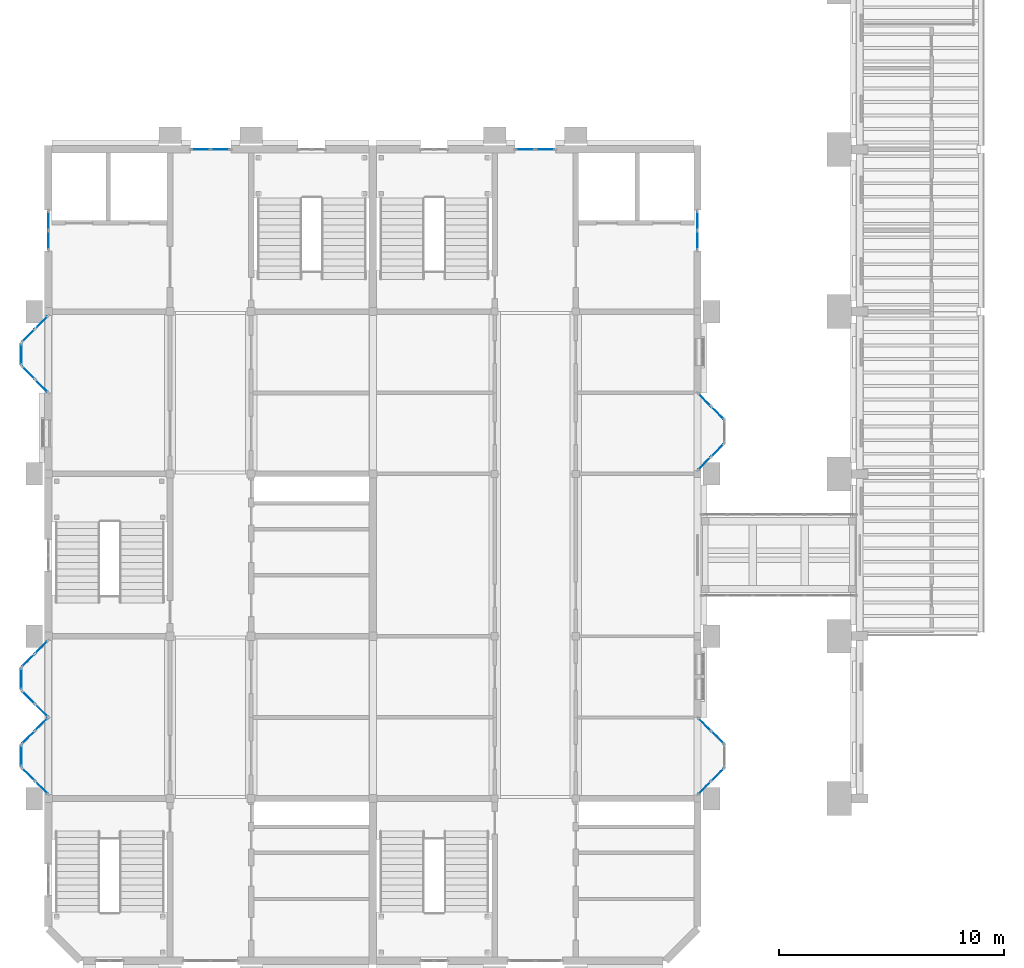
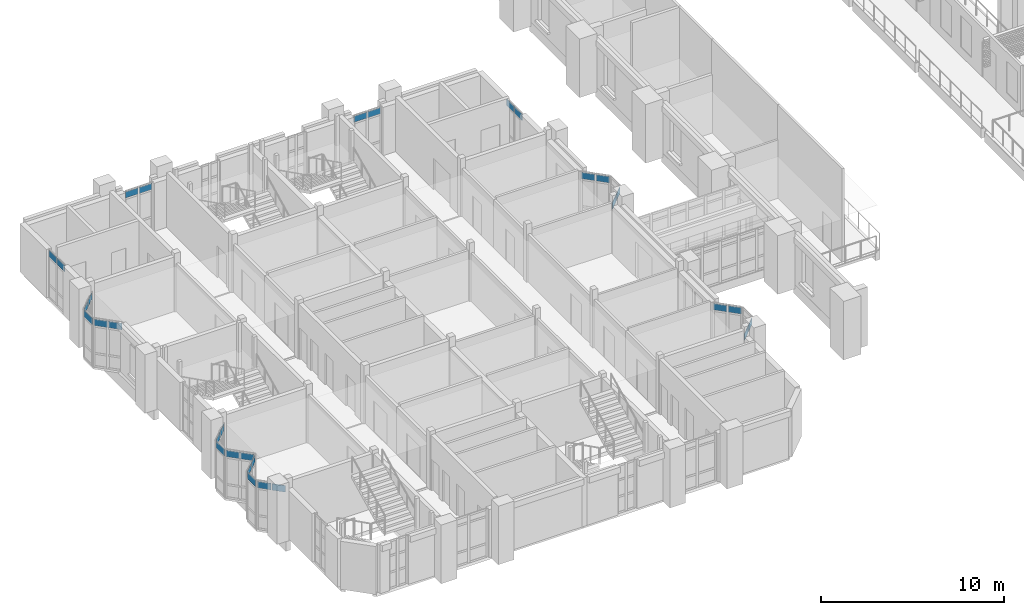
# One storey, part 36 of 69: 31 plates, 17 elements without a shape of their own.
"""IFC4 building model written with IfcOpenShell, lengths in metres."""

from ifc_helpers import new_model, si_unit, direction, frame, origin, origin_2d, place, context, subcontext, project, spatial, rectangle, extrude, material, layer, layer_set, type_object, element, aggregate, save


model = new_model("IFC4")

# Units and contexts
model_context = context("Model", 3, precision=1e-05, world=origin(), true_north=direction((0.0, 1.0)))
body_context = subcontext(model_context, "Body", "Model", "MODEL_VIEW")
ifc_project = project(units=[si_unit("LENGTHUNIT", "METRE"), si_unit("AREAUNIT", "SQUARE_METRE"), si_unit("VOLUMEUNIT", "CUBIC_METRE"), si_unit("PLANEANGLEUNIT", "RADIAN"), si_unit("MASSUNIT", "GRAM", prefix="KILO")], contexts=[model_context])

# Site, building, storey
site_placement = place(None, origin())
site = spatial("IfcSite", under=ifc_project, at=site_placement, CompositionType="ELEMENT")
building_placement = place(site_placement, origin())
building = spatial("IfcBuilding", under=site, at=building_placement, Name="Mazhai Court Health Centre", CompositionType="ELEMENT")
storey_placement = place(building_placement, frame((0.0, 0.0, 6.300048828125)))
storey = spatial("IfcBuildingStorey", under=building, at=storey_placement, Name="L01", CompositionType="ELEMENT", Elevation=6.300048828125)

# Curtain wall, plates
ifc_material_1 = material(Name="Teak timber frame, glazed", Category="wood")
ifc_layer_1 = layer(ifc_material_1, 0.10009765625)
ifc_layer_set_1 = layer_set([ifc_layer_1], Name="CURTAIN WALL TIMBER 900")
curtain_wall_type = type_object("IfcCurtainWallType", Name="CURTAIN WALL TIMBER 900", PredefinedType="NOTDEFINED", material=ifc_layer_set_1)
curtain_wall_1_placement = place(storey_placement, origin())
curtain_wall_1 = element("IfcCurtainWall", 1, at=curtain_wall_1_placement, inside=storey, type_object=curtain_wall_type, Name="CW-ORIEL-V2-L01-A10-0", PredefinedType="NOTDEFINED")
ifc_material_2 = material(Name="Glass IGU 28 mm", Category="glass")
ifc_layer_2 = layer(ifc_material_2, 0.028076171875)
ifc_layer_set_2 = layer_set([ifc_layer_2], Name="CW PANEL IGU 28")
plate_type = type_object("IfcPlateType", Name="CW PANEL IGU 28", PredefinedType="CURTAIN_PANEL", material=ifc_layer_set_2)
plate_1_placement = place(storey_placement, frame((5.889404296875, 13.890625, 2.72998046875), z_axis=(0.0, 0.0, 1.0), x_axis=(-0.707106781187, 0.707106781187, 0.0)))
plate_1 = element("IfcPlate", 2, at=plate_1_placement, type_object=plate_type, Name="CW panel 1.3", PredefinedType="CURTAIN_PANEL", context=body_context, shape_type="SweptSolid", body=[
    extrude(rectangle(XDim=0.758544921875, YDim=0.028076171875, at=origin_2d()), origin(), (0.0, 0.0, 1.0), 0.429931640625),
])
plate_2_placement = place(storey_placement, frame((5.310546875, 14.469482421875, 2.72998046875), z_axis=(0.0, 0.0, 1.0), x_axis=(-0.707106781187, 0.707106781187, 0.0)))
plate_2 = element("IfcPlate", 3, at=plate_2_placement, type_object=plate_type, Name="CW panel 2.3", PredefinedType="CURTAIN_PANEL", context=body_context, shape_type="SweptSolid", body=[
    extrude(rectangle(XDim=0.758544921875, YDim=0.028076171875, at=origin_2d()), origin(), (0.0, 0.0, 1.0), 0.429931640625),
])
aggregate(curtain_wall_1, [plate_1, plate_2])

# Curtain wall, plate
curtain_wall_2_placement = place(storey_placement, origin())
curtain_wall_2 = element("IfcCurtainWall", 4, at=curtain_wall_2_placement, inside=storey, type_object=curtain_wall_type, Name="CW-ORIEL-V2-L01-A10-1", PredefinedType="NOTDEFINED")
plate_3_placement = place(storey_placement, frame((5.0, 15.2900390625, 2.72998046875), z_axis=(0.0, 0.0, 1.0), x_axis=(0.0, 1.0, 0.0)))
plate_3 = element("IfcPlate", 5, at=plate_3_placement, type_object=plate_type, Name="CW panel 1.3", PredefinedType="CURTAIN_PANEL", context=body_context, shape_type="SweptSolid", body=[
    extrude(rectangle(XDim=0.89990234375, YDim=0.028076171875, at=origin_2d()), origin(), (0.0, 0.0, 1.0), 0.429931640625),
])
aggregate(curtain_wall_2, [plate_3])

# Curtain wall, plates
curtain_wall_3_placement = place(storey_placement, origin())
curtain_wall_3 = element("IfcCurtainWall", 6, at=curtain_wall_3_placement, inside=storey, type_object=curtain_wall_type, Name="CW-ORIEL-V2-L01-A10-2", PredefinedType="NOTDEFINED")
plate_4_placement = place(storey_placement, frame((5.310546875, 16.110595703125, 2.72998046875), z_axis=(0.0, 0.0, 1.0), x_axis=(0.707106781187, 0.707106781187, 0.0)))
plate_4 = element("IfcPlate", 7, at=plate_4_placement, type_object=plate_type, Name="CW panel 1.3", PredefinedType="CURTAIN_PANEL", context=body_context, shape_type="SweptSolid", body=[
    extrude(rectangle(XDim=0.758544921875, YDim=0.028076171875, at=origin_2d()), origin(), (0.0, 0.0, 1.0), 0.429931640625),
])
plate_5_placement = place(storey_placement, frame((5.889404296875, 16.689453125, 2.72998046875), z_axis=(0.0, 0.0, 1.0), x_axis=(0.707106781187, 0.707106781187, 0.0)))
plate_5 = element("IfcPlate", 8, at=plate_5_placement, type_object=plate_type, Name="CW panel 2.3", PredefinedType="CURTAIN_PANEL", context=body_context, shape_type="SweptSolid", body=[
    extrude(rectangle(XDim=0.758544921875, YDim=0.028076171875, at=origin_2d()), origin(), (0.0, 0.0, 1.0), 0.429931640625),
])
aggregate(curtain_wall_3, [plate_4, plate_5])

curtain_wall_4_placement = place(storey_placement, origin())
curtain_wall_4 = element("IfcCurtainWall", 9, at=curtain_wall_4_placement, inside=storey, type_object=curtain_wall_type, Name="CW-ORIEL-V2-L01-A11-0", PredefinedType="NOTDEFINED")
plate_6_placement = place(storey_placement, frame((5.889404296875, 17.310546875, 2.72998046875), z_axis=(0.0, 0.0, 1.0), x_axis=(-0.707106781187, 0.707106781187, 0.0)))
plate_6 = element("IfcPlate", 10, at=plate_6_placement, type_object=plate_type, Name="CW panel 1.3", PredefinedType="CURTAIN_PANEL", context=body_context, shape_type="SweptSolid", body=[
    extrude(rectangle(XDim=0.758544921875, YDim=0.028076171875, at=origin_2d()), origin(), (0.0, 0.0, 1.0), 0.429931640625),
])
plate_7_placement = place(storey_placement, frame((5.310546875, 17.889404296875, 2.72998046875), z_axis=(0.0, 0.0, 1.0), x_axis=(-0.707106781187, 0.707106781187, 0.0)))
plate_7 = element("IfcPlate", 11, at=plate_7_placement, type_object=plate_type, Name="CW panel 2.3", PredefinedType="CURTAIN_PANEL", context=body_context, shape_type="SweptSolid", body=[
    extrude(rectangle(XDim=0.758544921875, YDim=0.028076171875, at=origin_2d()), origin(), (0.0, 0.0, 1.0), 0.429931640625),
])
aggregate(curtain_wall_4, [plate_6, plate_7])

# Curtain wall, plate
curtain_wall_5_placement = place(storey_placement, origin())
curtain_wall_5 = element("IfcCurtainWall", 12, at=curtain_wall_5_placement, inside=storey, type_object=curtain_wall_type, Name="CW-ORIEL-V2-L01-A11-1", PredefinedType="NOTDEFINED")
plate_8_placement = place(storey_placement, frame((5.0, 18.7099609375, 2.72998046875), z_axis=(0.0, 0.0, 1.0), x_axis=(0.0, 1.0, 0.0)))
plate_8 = element("IfcPlate", 13, at=plate_8_placement, type_object=plate_type, Name="CW panel 1.3", PredefinedType="CURTAIN_PANEL", context=body_context, shape_type="SweptSolid", body=[
    extrude(rectangle(XDim=0.89990234375, YDim=0.028076171875, at=origin_2d()), origin(), (0.0, 0.0, 1.0), 0.429931640625),
])
aggregate(curtain_wall_5, [plate_8])

# Curtain wall, plates
curtain_wall_6_placement = place(storey_placement, origin())
curtain_wall_6 = element("IfcCurtainWall", 14, at=curtain_wall_6_placement, inside=storey, type_object=curtain_wall_type, Name="CW-ORIEL-V2-L01-A11-2", PredefinedType="NOTDEFINED")
plate_9_placement = place(storey_placement, frame((5.310546875, 19.530517578125, 2.72998046875), z_axis=(0.0, 0.0, 1.0), x_axis=(0.707106781187, 0.707106781187, 0.0)))
plate_9 = element("IfcPlate", 15, at=plate_9_placement, type_object=plate_type, Name="CW panel 1.3", PredefinedType="CURTAIN_PANEL", context=body_context, shape_type="SweptSolid", body=[
    extrude(rectangle(XDim=0.758544921875, YDim=0.028076171875, at=origin_2d()), origin(), (0.0, 0.0, 1.0), 0.429931640625),
])
plate_10_placement = place(storey_placement, frame((5.889404296875, 20.109375, 2.72998046875), z_axis=(0.0, 0.0, 1.0), x_axis=(0.707106781187, 0.707106781187, 0.0)))
plate_10 = element("IfcPlate", 16, at=plate_10_placement, type_object=plate_type, Name="CW panel 2.3", PredefinedType="CURTAIN_PANEL", context=body_context, shape_type="SweptSolid", body=[
    extrude(rectangle(XDim=0.758544921875, YDim=0.028076171875, at=origin_2d()), origin(), (0.0, 0.0, 1.0), 0.429931640625),
])
aggregate(curtain_wall_6, [plate_9, plate_10])

curtain_wall_7_placement = place(storey_placement, origin())
curtain_wall_7 = element("IfcCurtainWall", 17, at=curtain_wall_7_placement, inside=storey, type_object=curtain_wall_type, Name="CW-ORIEL-V2-L01-A31-0", PredefinedType="NOTDEFINED")
plate_11_placement = place(storey_placement, frame((5.889404296875, 31.710693359375, 2.72998046875), z_axis=(0.0, 0.0, 1.0), x_axis=(-0.707106781187, 0.707106781187, 0.0)))
plate_11 = element("IfcPlate", 18, at=plate_11_placement, type_object=plate_type, Name="CW panel 1.3", PredefinedType="CURTAIN_PANEL", context=body_context, shape_type="SweptSolid", body=[
    extrude(rectangle(XDim=0.758544921875, YDim=0.028076171875, at=origin_2d()), origin(), (0.0, 0.0, 1.0), 0.429931640625),
])
plate_12_placement = place(storey_placement, frame((5.310546875, 32.289306640625, 2.72998046875), z_axis=(0.0, 0.0, 1.0), x_axis=(-0.707106781187, 0.707106781187, 0.0)))
plate_12 = element("IfcPlate", 19, at=plate_12_placement, type_object=plate_type, Name="CW panel 2.3", PredefinedType="CURTAIN_PANEL", context=body_context, shape_type="SweptSolid", body=[
    extrude(rectangle(XDim=0.758544921875, YDim=0.028076171875, at=origin_2d()), origin(), (0.0, 0.0, 1.0), 0.429931640625),
])
aggregate(curtain_wall_7, [plate_11, plate_12])

# Curtain wall, plate
curtain_wall_8_placement = place(storey_placement, origin())
curtain_wall_8 = element("IfcCurtainWall", 20, at=curtain_wall_8_placement, inside=storey, type_object=curtain_wall_type, Name="CW-ORIEL-V2-L01-A31-1", PredefinedType="NOTDEFINED")
plate_13_placement = place(storey_placement, frame((5.0, 33.110107421875, 2.72998046875), z_axis=(0.0, 0.0, 1.0), x_axis=(0.0, 1.0, 0.0)))
plate_13 = element("IfcPlate", 21, at=plate_13_placement, type_object=plate_type, Name="CW panel 1.3", PredefinedType="CURTAIN_PANEL", context=body_context, shape_type="SweptSolid", body=[
    extrude(rectangle(XDim=0.89990234375, YDim=0.028076171875, at=origin_2d()), origin(), (0.0, 0.0, 1.0), 0.429931640625),
])
aggregate(curtain_wall_8, [plate_13])

# Curtain wall, plates
curtain_wall_9_placement = place(storey_placement, origin())
curtain_wall_9 = element("IfcCurtainWall", 22, at=curtain_wall_9_placement, inside=storey, type_object=curtain_wall_type, Name="CW-ORIEL-V2-L01-A31-2", PredefinedType="NOTDEFINED")
plate_14_placement = place(storey_placement, frame((5.310546875, 33.9306640625, 2.72998046875), z_axis=(0.0, 0.0, 1.0), x_axis=(0.707106781187, 0.707106781187, 0.0)))
plate_14 = element("IfcPlate", 23, at=plate_14_placement, type_object=plate_type, Name="CW panel 1.3", PredefinedType="CURTAIN_PANEL", context=body_context, shape_type="SweptSolid", body=[
    extrude(rectangle(XDim=0.758544921875, YDim=0.028076171875, at=origin_2d()), origin(), (0.0, 0.0, 1.0), 0.429931640625),
])
plate_15_placement = place(storey_placement, frame((5.889404296875, 34.50927734375, 2.72998046875), z_axis=(0.0, 0.0, 1.0), x_axis=(0.707106781187, 0.707106781187, 0.0)))
plate_15 = element("IfcPlate", 24, at=plate_15_placement, type_object=plate_type, Name="CW panel 2.3", PredefinedType="CURTAIN_PANEL", context=body_context, shape_type="SweptSolid", body=[
    extrude(rectangle(XDim=0.758544921875, YDim=0.028076171875, at=origin_2d()), origin(), (0.0, 0.0, 1.0), 0.429931640625),
])
aggregate(curtain_wall_9, [plate_14, plate_15])

curtain_wall_10_placement = place(storey_placement, origin())
curtain_wall_10 = element("IfcCurtainWall", 25, at=curtain_wall_10_placement, inside=storey, type_object=curtain_wall_type, Name="CW-V2-L01-A4", PredefinedType="NOTDEFINED")
plate_16_placement = place(storey_placement, frame((6.199951171875, 38.1650390625, 2.72998046875), z_axis=(0.0, 0.0, 1.0), x_axis=(0.0, 1.0, 0.0)))
plate_16 = element("IfcPlate", 26, at=plate_16_placement, type_object=plate_type, Name="CW panel 1.3", PredefinedType="CURTAIN_PANEL", context=body_context, shape_type="SweptSolid", body=[
    extrude(rectangle(XDim=0.81005859375, YDim=0.028076171875, at=origin_2d()), origin(), (0.0, 0.0, 1.0), 0.429931640625),
])
plate_17_placement = place(storey_placement, frame((6.199951171875, 39.034912109375, 2.72998046875), z_axis=(0.0, 0.0, 1.0), x_axis=(0.0, 1.0, 0.0)))
plate_17 = element("IfcPlate", 27, at=plate_17_placement, type_object=plate_type, Name="CW panel 2.3", PredefinedType="CURTAIN_PANEL", context=body_context, shape_type="SweptSolid", body=[
    extrude(rectangle(XDim=0.81005859375, YDim=0.028076171875, at=origin_2d()), origin(), (0.0, 0.0, 1.0), 0.429931640625),
])
aggregate(curtain_wall_10, [plate_16, plate_17])

curtain_wall_11_placement = place(storey_placement, origin())
curtain_wall_11 = element("IfcCurtainWall", 28, at=curtain_wall_11_placement, inside=storey, type_object=curtain_wall_type, Name="CW-V2-L01-ELIFT0", PredefinedType="NOTDEFINED")
plate_18_placement = place(storey_placement, frame((12.965087890625, 42.199951171875, 2.72998046875), z_axis=(0.0, 0.0, 1.0), x_axis=(1.0, 0.0, 0.0)))
plate_18 = element("IfcPlate", 29, at=plate_18_placement, type_object=plate_type, Name="CW panel 1.3", PredefinedType="CURTAIN_PANEL", context=body_context, shape_type="SweptSolid", body=[
    extrude(rectangle(XDim=0.81005859375, YDim=0.028076171875, at=origin_2d()), origin(), (0.0, 0.0, 1.0), 0.409912109375),
])
plate_19_placement = place(storey_placement, frame((13.8349609375, 42.199951171875, 2.72998046875), z_axis=(0.0, 0.0, 1.0), x_axis=(1.0, 0.0, 0.0)))
plate_19 = element("IfcPlate", 30, at=plate_19_placement, type_object=plate_type, Name="CW panel 2.3", PredefinedType="CURTAIN_PANEL", context=body_context, shape_type="SweptSolid", body=[
    extrude(rectangle(XDim=0.81005859375, YDim=0.028076171875, at=origin_2d()), origin(), (0.0, 0.0, 1.0), 0.409912109375),
])
aggregate(curtain_wall_11, [plate_18, plate_19])

curtain_wall_12_placement = place(storey_placement, origin())
curtain_wall_12 = element("IfcCurtainWall", 31, at=curtain_wall_12_placement, inside=storey, type_object=curtain_wall_type, Name="CW-ORIEL-V5-L01-B10-0", PredefinedType="NOTDEFINED")
plate_20_placement = place(storey_placement, frame((35.310546875, 13.87060546875, 2.72998046875), z_axis=(0.0, 0.0, 1.0), x_axis=(0.707106781187, 0.707106781187, 0.0)))
plate_20 = element("IfcPlate", 32, at=plate_20_placement, type_object=plate_type, Name="CW panel 1.3", PredefinedType="CURTAIN_PANEL", context=body_context, shape_type="SweptSolid", body=[
    extrude(rectangle(XDim=0.758544921875, YDim=0.028076171875, at=origin_2d()), origin(), (0.0, 0.0, 1.0), 0.429931640625),
])
plate_21_placement = place(storey_placement, frame((35.889404296875, 14.449462890625, 2.72998046875), z_axis=(0.0, 0.0, 1.0), x_axis=(0.707106781187, 0.707106781187, 0.0)))
plate_21 = element("IfcPlate", 33, at=plate_21_placement, type_object=plate_type, Name="CW panel 2.3", PredefinedType="CURTAIN_PANEL", context=body_context, shape_type="SweptSolid", body=[
    extrude(rectangle(XDim=0.758544921875, YDim=0.028076171875, at=origin_2d()), origin(), (0.0, 0.0, 1.0), 0.429931640625),
])
aggregate(curtain_wall_12, [plate_20, plate_21])

curtain_wall_13_placement = place(storey_placement, origin())
curtain_wall_13 = element("IfcCurtainWall", 34, at=curtain_wall_13_placement, inside=storey, type_object=curtain_wall_type, Name="CW-ORIEL-V5-L01-B10-2", PredefinedType="NOTDEFINED")
plate_22_placement = place(storey_placement, frame((35.889404296875, 16.110595703125, 2.72998046875), z_axis=(0.0, 0.0, 1.0), x_axis=(-0.707106781187, 0.707106781187, 0.0)))
plate_22 = element("IfcPlate", 35, at=plate_22_placement, type_object=plate_type, Name="CW panel 1.3", PredefinedType="CURTAIN_PANEL", context=body_context, shape_type="SweptSolid", body=[
    extrude(rectangle(XDim=0.758544921875, YDim=0.028076171875, at=origin_2d()), origin(), (0.0, 0.0, 1.0), 0.429931640625),
])
plate_23_placement = place(storey_placement, frame((35.310546875, 16.689453125, 2.72998046875), z_axis=(0.0, 0.0, 1.0), x_axis=(-0.707106781187, 0.707106781187, 0.0)))
plate_23 = element("IfcPlate", 36, at=plate_23_placement, type_object=plate_type, Name="CW panel 2.3", PredefinedType="CURTAIN_PANEL", context=body_context, shape_type="SweptSolid", body=[
    extrude(rectangle(XDim=0.758544921875, YDim=0.028076171875, at=origin_2d()), origin(), (0.0, 0.0, 1.0), 0.429931640625),
])
aggregate(curtain_wall_13, [plate_22, plate_23])

curtain_wall_14_placement = place(storey_placement, origin())
curtain_wall_14 = element("IfcCurtainWall", 37, at=curtain_wall_14_placement, inside=storey, type_object=curtain_wall_type, Name="CW-ORIEL-V5-L01-B30-0", PredefinedType="NOTDEFINED")
plate_24_placement = place(storey_placement, frame((35.310546875, 28.2705078125, 2.72998046875), z_axis=(0.0, 0.0, 1.0), x_axis=(0.707106781187, 0.707106781187, 0.0)))
plate_24 = element("IfcPlate", 38, at=plate_24_placement, type_object=plate_type, Name="CW panel 1.3", PredefinedType="CURTAIN_PANEL", context=body_context, shape_type="SweptSolid", body=[
    extrude(rectangle(XDim=0.758544921875, YDim=0.028076171875, at=origin_2d()), origin(), (0.0, 0.0, 1.0), 0.429931640625),
])
plate_25_placement = place(storey_placement, frame((35.889404296875, 28.849365234375, 2.72998046875), z_axis=(0.0, 0.0, 1.0), x_axis=(0.707106781187, 0.707106781187, 0.0)))
plate_25 = element("IfcPlate", 39, at=plate_25_placement, type_object=plate_type, Name="CW panel 2.3", PredefinedType="CURTAIN_PANEL", context=body_context, shape_type="SweptSolid", body=[
    extrude(rectangle(XDim=0.758544921875, YDim=0.028076171875, at=origin_2d()), origin(), (0.0, 0.0, 1.0), 0.429931640625),
])
aggregate(curtain_wall_14, [plate_24, plate_25])

curtain_wall_15_placement = place(storey_placement, origin())
curtain_wall_15 = element("IfcCurtainWall", 40, at=curtain_wall_15_placement, inside=storey, type_object=curtain_wall_type, Name="CW-ORIEL-V5-L01-B30-2", PredefinedType="NOTDEFINED")
plate_26_placement = place(storey_placement, frame((35.889404296875, 30.510498046875, 2.72998046875), z_axis=(0.0, 0.0, 1.0), x_axis=(-0.707106781187, 0.707106781187, 0.0)))
plate_26 = element("IfcPlate", 41, at=plate_26_placement, type_object=plate_type, Name="CW panel 1.3", PredefinedType="CURTAIN_PANEL", context=body_context, shape_type="SweptSolid", body=[
    extrude(rectangle(XDim=0.758544921875, YDim=0.028076171875, at=origin_2d()), origin(), (0.0, 0.0, 1.0), 0.429931640625),
])
plate_27_placement = place(storey_placement, frame((35.310546875, 31.08935546875, 2.72998046875), z_axis=(0.0, 0.0, 1.0), x_axis=(-0.707106781187, 0.707106781187, 0.0)))
plate_27 = element("IfcPlate", 42, at=plate_27_placement, type_object=plate_type, Name="CW panel 2.3", PredefinedType="CURTAIN_PANEL", context=body_context, shape_type="SweptSolid", body=[
    extrude(rectangle(XDim=0.758544921875, YDim=0.028076171875, at=origin_2d()), origin(), (0.0, 0.0, 1.0), 0.429931640625),
])
aggregate(curtain_wall_15, [plate_26, plate_27])

curtain_wall_16_placement = place(storey_placement, origin())
curtain_wall_16 = element("IfcCurtainWall", 43, at=curtain_wall_16_placement, inside=storey, type_object=curtain_wall_type, Name="CW-V5-L01-B4", PredefinedType="NOTDEFINED")
plate_28_placement = place(storey_placement, frame((35.0, 39.034912109375, 2.72998046875), z_axis=(0.0, 0.0, 1.0), x_axis=(0.0, -1.0, 0.0)))
plate_28 = element("IfcPlate", 44, at=plate_28_placement, type_object=plate_type, Name="CW panel 1.3", PredefinedType="CURTAIN_PANEL", context=body_context, shape_type="SweptSolid", body=[
    extrude(rectangle(XDim=0.81005859375, YDim=0.028076171875, at=origin_2d()), origin(), (0.0, 0.0, 1.0), 0.429931640625),
])
plate_29_placement = place(storey_placement, frame((35.0, 38.1650390625, 2.72998046875), z_axis=(0.0, 0.0, 1.0), x_axis=(0.0, -1.0, 0.0)))
plate_29 = element("IfcPlate", 45, at=plate_29_placement, type_object=plate_type, Name="CW panel 2.3", PredefinedType="CURTAIN_PANEL", context=body_context, shape_type="SweptSolid", body=[
    extrude(rectangle(XDim=0.81005859375, YDim=0.028076171875, at=origin_2d()), origin(), (0.0, 0.0, 1.0), 0.429931640625),
])
aggregate(curtain_wall_16, [plate_28, plate_29])

curtain_wall_17_placement = place(storey_placement, origin())
curtain_wall_17 = element("IfcCurtainWall", 46, at=curtain_wall_17_placement, inside=storey, type_object=curtain_wall_type, Name="CW-V5-L01-ELIFT1", PredefinedType="NOTDEFINED")
plate_30_placement = place(storey_placement, frame((27.364990234375, 42.199951171875, 2.72998046875), z_axis=(0.0, 0.0, 1.0), x_axis=(1.0, 0.0, 0.0)))
plate_30 = element("IfcPlate", 47, at=plate_30_placement, type_object=plate_type, Name="CW panel 1.3", PredefinedType="CURTAIN_PANEL", context=body_context, shape_type="SweptSolid", body=[
    extrude(rectangle(XDim=0.81005859375, YDim=0.028076171875, at=origin_2d()), origin(), (0.0, 0.0, 1.0), 0.409912109375),
])
plate_31_placement = place(storey_placement, frame((28.235107421875, 42.199951171875, 2.72998046875), z_axis=(0.0, 0.0, 1.0), x_axis=(1.0, 0.0, 0.0)))
plate_31 = element("IfcPlate", 48, at=plate_31_placement, type_object=plate_type, Name="CW panel 2.3", PredefinedType="CURTAIN_PANEL", context=body_context, shape_type="SweptSolid", body=[
    extrude(rectangle(XDim=0.81005859375, YDim=0.028076171875, at=origin_2d()), origin(), (0.0, 0.0, 1.0), 0.409912109375),
])
aggregate(curtain_wall_17, [plate_30, plate_31])

save(model, "model.ifc")
